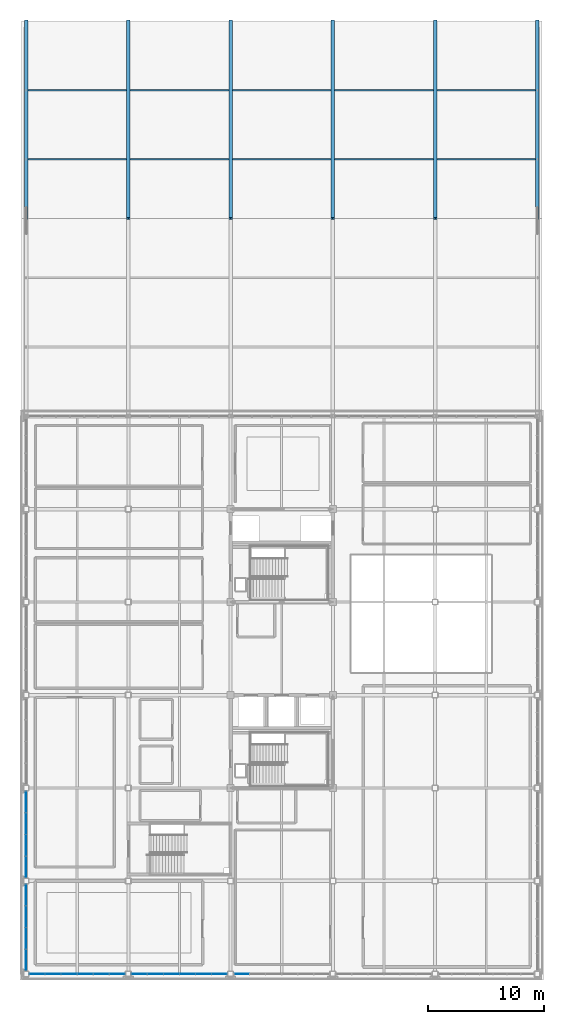
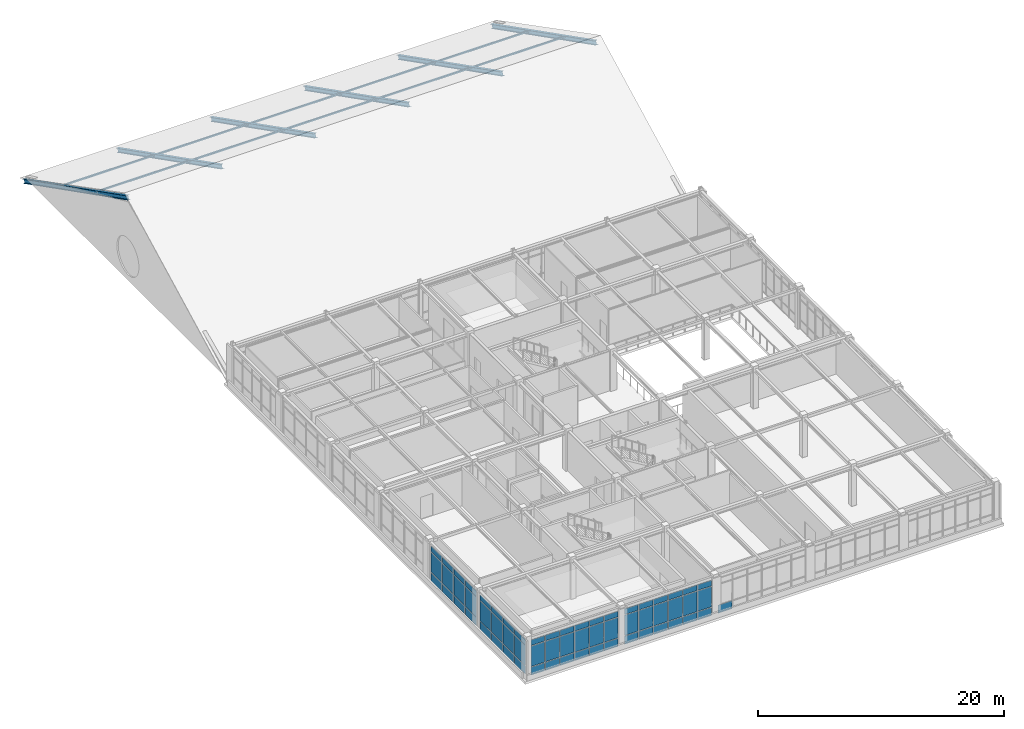
# One storey, part 21 of 45: 61 plates, 8 members, 5 elements without a shape of their own.
"""IFC4 building model written with IfcOpenShell, lengths in metres."""

import ifcopenshell
import ifcopenshell.guid

model = None  # the IFC model being written
_history = None  # IfcOwnerHistory: only IFC2X3 demands one
_inside = {}  # id of a spatial element -> (the spatial element, [elements in it])
_under = {}  # id of a project, library or spatial element -> (it, [spatial elements below it])
_declared = {}  # id of a project -> (the project, [libraries it declares])
_typed = {}  # id of a type object -> (the type object, [elements of that type])
_made_of = {}  # id of a material, layer set ... -> (it, [elements and type objects made of it])


def new_model(schema):
    """Start an empty IFC model of exactly this schema.

    Asked for "IFC4X3", IfcOpenShell would pick the latest addendum, in which some entities
    have other attributes; the version numbers below select the first issue.
    IFC2X3 requires an IfcOwnerHistory on every rooted entity: one is made here for all.
    """
    global model, _history
    if schema == "IFC4X3":
        model = ifcopenshell.file(schema_version=(4, 3, 0, 0))
    else:
        model = ifcopenshell.file(schema=schema)
    _inside.clear()
    _under.clear()
    _declared.clear()
    _typed.clear()
    _made_of.clear()
    _history = None
    if model.schema == "IFC2X3":
        org = make("IfcOrganization", Name="unknown")
        user = make(
            "IfcPersonAndOrganization",
            ThePerson=make("IfcPerson", FamilyName="unknown"),
            TheOrganization=org,
        )
        app = make(
            "IfcApplication",
            ApplicationDeveloper=org,
            Version="unknown",
            ApplicationFullName="unknown",
            ApplicationIdentifier="unknown",
        )
        _history = make(
            "IfcOwnerHistory",
            OwningUser=user,
            OwningApplication=app,
            ChangeAction="ADDED",
            CreationDate=0,
        )
    return model


def make(cls, **values):
    """One entity of the class cls with the attributes given. An attribute that is None is left unset."""
    return model.create_entity(
        cls, **{name: value for name, value in values.items() if value is not None}
    )


def rooted(cls, **values):
    """An entity with a GlobalId (a new one), such as an element, a storey or a relation."""
    return make(cls, GlobalId=ifcopenshell.guid.new(), OwnerHistory=_history, **values)


def si_unit(unit_type, name, prefix=None):
    """IfcSIUnit, for example si_unit("LENGTHUNIT", "METRE", prefix="MILLI")."""
    return make("IfcSIUnit", UnitType=unit_type, Prefix=prefix, Name=name)


def assignment(units):
    """IfcUnitAssignment: the units of a project."""
    return None if units is None else make("IfcUnitAssignment", Units=units)


def point(xyz):
    """IfcCartesianPoint."""
    return None if xyz is None else make("IfcCartesianPoint", Coordinates=xyz)


def direction(xyz):
    """IfcDirection."""
    return None if xyz is None else make("IfcDirection", DirectionRatios=xyz)


def frame(location, z_axis=None, x_axis=None):
    """IfcAxis2Placement3D, a coordinate frame: its origin and axes. An axis left out is left unset."""
    return make(
        "IfcAxis2Placement3D",
        Location=point(location),
        Axis=direction(z_axis),
        RefDirection=direction(x_axis),
    )


def frame_2d(location, x_axis=None):
    """IfcAxis2Placement2D, a coordinate frame in the plane: its origin and x axis."""
    return make(
        "IfcAxis2Placement2D", Location=point(location), RefDirection=direction(x_axis)
    )


def origin():
    """The frame at (0, 0, 0) with its axes left unset."""
    return frame((0.0, 0.0, 0.0))


def origin_2d():
    """The frame at (0, 0) in the plane with its x axis left unset."""
    return frame_2d((0.0, 0.0))


def place(relative_to, where):
    """IfcLocalPlacement: puts the frame where relative to a parent placement (None: the world)."""
    return make(
        "IfcLocalPlacement", PlacementRelTo=relative_to, RelativePlacement=where
    )


def context(
    kind, dimensions, precision=None, world=None, true_north=None, identifier=None
):
    """IfcGeometricRepresentationContext, for example the 3D "Model" context."""
    return make(
        "IfcGeometricRepresentationContext",
        ContextIdentifier=identifier,
        ContextType=kind,
        CoordinateSpaceDimension=dimensions,
        Precision=precision,
        WorldCoordinateSystem=world,
        TrueNorth=true_north,
    )


def subcontext(parent, identifier, kind, view, scale=None):
    """IfcGeometricRepresentationSubContext, for example "Body" below "Model"."""
    return make(
        "IfcGeometricRepresentationSubContext",
        ContextIdentifier=identifier,
        ContextType=kind,
        ParentContext=parent,
        TargetScale=scale,
        TargetView=view,
    )


def project(units=None, contexts=None):
    """IfcProject with its units and contexts."""
    return rooted(
        "IfcProject",
        Name="project",
        RepresentationContexts=contexts,
        UnitsInContext=assignment(units),
    )


def spatial(cls, under=None, at=None, **own):
    """A site, building, storey or space (cls), placed at a placement, below another one or the project."""
    s = rooted(cls, ObjectPlacement=at, **own)
    if under is not None:
        _under.setdefault(under.id(), (under, []))[1].append(s)
    return s


def profile(cls, at=None, kind="AREA", **sizes):
    """A parametric profile (cls). Its sizes go by their IFC names, for example OverallWidth=200.0."""
    return make(cls, ProfileType=kind, Position=at, **sizes)


def rectangle(**sizes):
    """IfcRectangleProfileDef."""
    return profile("IfcRectangleProfileDef", **sizes)


def hollow_rectangle(**sizes):
    """IfcRectangleHollowProfileDef."""
    return profile("IfcRectangleHollowProfileDef", **sizes)


def i_section(**sizes):
    """IfcIShapeProfileDef."""
    return profile("IfcIShapeProfileDef", **sizes)


def extrude(swept, where, along, depth):
    """IfcExtrudedAreaSolid: the profile swept, set in the frame where, extruded along a direction by depth."""
    return make(
        "IfcExtrudedAreaSolid",
        SweptArea=swept,
        Position=where,
        ExtrudedDirection=direction(along),
        Depth=depth,
    )


def shape(context_of_items, identifier, shape_type, items):
    """IfcShapeRepresentation: the items that make up one representation, for example the "Body"."""
    return make(
        "IfcShapeRepresentation",
        ContextOfItems=context_of_items,
        RepresentationIdentifier=identifier,
        RepresentationType=shape_type,
        Items=items,
    )


def material(Name=None, Category=None):
    """IfcMaterial."""
    return make("IfcMaterial", Name=Name, Category=Category)


def layer(
    of_material, thickness, ventilated=None, Name=None, Category=None, Priority=None
):
    """IfcMaterialLayer: one layer of a wall or slab, of a material (None: an air gap)."""
    return make(
        "IfcMaterialLayer",
        Material=of_material,
        LayerThickness=thickness,
        IsVentilated=ventilated,
        Name=Name,
        Category=Category,
        Priority=Priority,
    )


def layer_set(layers, Name=None):
    """IfcMaterialLayerSet."""
    return make("IfcMaterialLayerSet", MaterialLayers=layers, LayerSetName=Name)


def material_profile(
    of_material, cross_section, Name=None, Category=None, Priority=None
):
    """IfcMaterialProfile: a cross section and its material."""
    return make(
        "IfcMaterialProfile",
        Name=Name,
        Material=of_material,
        Profile=cross_section,
        Priority=Priority,
        Category=Category,
    )


def profile_set(profiles, Name=None, composite=None):
    """IfcMaterialProfileSet."""
    return make(
        "IfcMaterialProfileSet",
        Name=Name,
        MaterialProfiles=profiles,
        CompositeProfile=composite,
    )


def made_of(thing, what):
    """Note that an element or type object is made of a material, layer set ...; save() writes the relation."""
    if what is not None:
        _made_of.setdefault(what.id(), (what, []))[1].append(thing)
    return thing


def type_object(cls, material=None, **own):
    """A type object (cls), such as IfcWallType, which elements share."""
    return made_of(rooted(cls, **own), material)


def element(
    cls,
    number,
    at=None,
    inside=None,
    cuts=None,
    type_object=None,
    material=None,
    context=None,
    identifier="Body",
    shape_type=None,
    held_by="IfcProductDefinitionShape",
    body=None,
    shapes=None,
    **own,
):
    """One element of the class cls, such as IfcWall. Its Tag is "e" and its number.

    at: its placement. inside: the storey or other place that contains it. cuts: it is an
    opening in that element (IfcRelVoidsElement). A single representation is given by context,
    identifier, shape_type and body (its items); several are given by shapes. held_by: the class
    of the entity that holds the representations. save() writes the other relations.
    """
    e = rooted(cls, Tag="e%d" % number, ObjectPlacement=at, **own)
    if body is not None:
        shapes = [shape(context, identifier, shape_type, body)]
    if shapes is not None:
        e.Representation = make(held_by, Representations=shapes)
    if inside is not None:
        _inside.setdefault(inside.id(), (inside, []))[1].append(e)
    if cuts is not None:
        rooted(
            "IfcRelVoidsElement", RelatingBuildingElement=cuts, RelatedOpeningElement=e
        )
    if type_object is not None:
        _typed.setdefault(type_object.id(), (type_object, []))[1].append(e)
    return made_of(e, material)


def aggregate(whole, parts):
    """IfcRelAggregates: a whole, such as a stair, and the parts it consists of."""
    return rooted("IfcRelAggregates", RelatingObject=whole, RelatedObjects=parts)


def save(model, path):
    """Write the relations noted so far, then the file.

    IfcRelAggregates (storeys below a building ...), IfcRelContainedInSpatialStructure (elements
    in a storey), IfcRelDefinesByType, IfcRelAssociatesMaterial and IfcRelDeclares: one each for
    every whole, place, type object, material and project.
    """
    for whole, parts in _under.values():
        aggregate(whole, parts)
    for where, things in _inside.values():
        rooted(
            "IfcRelContainedInSpatialStructure",
            RelatedElements=things,
            RelatingStructure=where,
        )
    for kind, things in _typed.values():
        rooted("IfcRelDefinesByType", RelatedObjects=things, RelatingType=kind)
    for what, things in _made_of.values():
        rooted("IfcRelAssociatesMaterial", RelatedObjects=things, RelatingMaterial=what)
    for by, libraries in _declared.values():
        rooted("IfcRelDeclares", RelatingContext=by, RelatedDefinitions=libraries)
    model.write(path)


model = new_model("IFC4")

# Units and contexts
model_context = context("Model", 3, precision=1e-05, world=origin(), true_north=direction((0.0, 1.0)))
body_context = subcontext(model_context, "Body", "Model", "MODEL_VIEW")
ifc_project = project(units=[si_unit("LENGTHUNIT", "METRE"), si_unit("AREAUNIT", "SQUARE_METRE"), si_unit("VOLUMEUNIT", "CUBIC_METRE"), si_unit("PLANEANGLEUNIT", "RADIAN"), si_unit("MASSUNIT", "GRAM", prefix="KILO")], contexts=[model_context])

# Site, building, storey
site_placement = place(None, origin())
site = spatial("IfcSite", under=ifc_project, at=site_placement, CompositionType="ELEMENT")
building_placement = place(site_placement, origin())
building = spatial("IfcBuilding", under=site, at=building_placement, Name="Zhaolan Boulevard Law Courts", CompositionType="ELEMENT")
storey_placement = place(building_placement, frame((0.0, 0.0, 24.60009765625)))
storey = spatial("IfcBuildingStorey", under=building, at=storey_placement, Name="L05", CompositionType="ELEMENT", Elevation=24.60009765625)

# Members
ifc_material_1 = material(Name="Structural steel Q355B", Category="steel")
ifc_material_profile_1 = material_profile(ifc_material_1, hollow_rectangle(XDim=0.14990234375, YDim=0.14990234375, WallThickness=0.008056640625, InnerFilletRadius=0.008056640625, OuterFilletRadius=0.01611328125, at=origin_2d()), Name="HSS150x150x8")
ifc_profile_set_1 = profile_set([ifc_material_profile_1], Name="Structural steel Q355B")
member_type_1 = type_object("IfcMemberType", Name="PURLIN HSS150 S", PredefinedType="PURLIN", material=ifc_profile_set_1)
for number, where, z_axis, x_axis, name in (
    (1, (0.0, 106.050048828125, 2.700927734375), (1.0, 0.0, 0.0), (0.0, 1.0, 0.0), "Library Roof Purlin LPR-N1"),
    (2, (0.0, 100.10009765625, 5.781005859375), (1.0, 0.0, 0.0), (0.0, 1.0, 0.0), "Library Roof Purlin LPR-N2"),
):
    element("IfcMember", number, at=place(storey_placement, frame(where, z_axis=z_axis, x_axis=x_axis)), inside=storey, type_object=member_type_1, Name=name, PredefinedType="PURLIN", context=body_context, shape_type="SweptSolid", body=[
        extrude(hollow_rectangle(XDim=0.14990234375, YDim=0.14990234375, WallThickness=0.008056640625, InnerFilletRadius=0.008056640625, OuterFilletRadius=0.01611328125, at=origin_2d()), origin(), (0.0, 0.0, 1.0), 44.0),
    ])
ifc_material_2 = material(Name="Structural steel Q355B", Category="steel")
ifc_material_profile_2 = material_profile(ifc_material_2, i_section(OverallWidth=0.300048828125, OverallDepth=0.389892578125, WebThickness=0.010009765625, FlangeThickness=0.01611328125, FilletRadius=0.01806640625, at=origin_2d()), Name="HM390x300")
ifc_profile_set_2 = profile_set([ifc_material_profile_2], Name="Structural steel Q355B")
member_type_2 = type_object("IfcMemberType", Name="RAFTER HM390", PredefinedType="RAFTER", material=ifc_profile_set_2)
for number, where, z_axis, x_axis, name in (
    (3, (0.0, 112.0, -0.379150390625), (0.0, -0.891468400522, 0.453082874174), (1.0, 0.0, 0.0), "Law Library Rafter LRF-N"),
    (4, (8.800048828125, 112.0, -0.379150390625), (0.0, -0.891468400522, 0.453082874174), (1.0, 0.0, 0.0), "Law Library Rafter LRF-N"),
    (5, (17.60009765625, 112.0, -0.379150390625), (0.0, -0.891468400522, 0.453082874174), (1.0, 0.0, 0.0), "Law Library Rafter LRF-N"),
    (6, (26.39990234375, 112.0, -0.379150390625), (0.0, -0.891468400522, 0.453082874174), (1.0, 0.0, 0.0), "Law Library Rafter LRF-N"),
    (7, (35.199951171875, 112.0, -0.379150390625), (0.0, -0.891468400522, 0.453082874174), (1.0, 0.0, 0.0), "Law Library Rafter LRF-N"),
    (8, (44.0, 112.0, -0.379150390625), (0.0, -0.891468400522, 0.453082874174), (1.0, 0.0, 0.0), "Law Library Rafter LRF-N"),
):
    element("IfcMember", number, at=place(storey_placement, frame(where, z_axis=z_axis, x_axis=x_axis)), inside=storey, type_object=member_type_2, Name=name, PredefinedType="RAFTER", context=body_context, shape_type="SweptSolid", body=[
        extrude(i_section(OverallWidth=0.300048828125, OverallDepth=0.389892578125, WebThickness=0.010009765625, FlangeThickness=0.01611328125, FilletRadius=0.01806640625, at=origin_2d()), origin(), (0.0, 0.0, 1.0), 19.069580078125),
    ])

# Curtain wall, plates
ifc_material_3 = material(Name="Thermally broken aluminium and low-E glazing", Category="aluminium")
curtain_wall_type_1 = type_object("IfcCurtainWallType", Name="CURTAIN WALL M10", PredefinedType="USERDEFINED", material=ifc_material_3)
curtain_wall_1_placement = place(storey_placement, origin())
curtain_wall_1 = element("IfcCurtainWall", 9, at=curtain_wall_1_placement, inside=storey, type_object=curtain_wall_type_1, Name="Curtain Wall CW-L05-202", ObjectType="CURTAIN WALL", PredefinedType="USERDEFINED")
ifc_material_4 = material(Name="Triple-silver low-E insulated glazing", Category="glass")
ifc_layer = layer(ifc_material_4, 0.028076171875)
ifc_layer_set = layer_set([ifc_layer])
plate_type = type_object("IfcPlateType", Name="CWPANEL LOW E28", PredefinedType="CURTAIN_PANEL", material=ifc_layer_set)
plate_1_placement = place(storey_placement, frame((0.958251953125, 30.0, 0.059814453125), z_axis=(0.0, 0.0, 1.0), x_axis=(1.0, 0.0, 0.0)))
plate_1 = element("IfcPlate", 10, at=plate_1_placement, type_object=plate_type, Name="CW-L05-202 panel 1.1", PredefinedType="CURTAIN_PANEL", context=body_context, shape_type="SweptSolid", body=[
    extrude(rectangle(XDim=1.292724609375, YDim=0.028076171875, at=origin_2d()), origin(), (0.0, 0.0, 1.0), 0.81005859375),
])
plate_2_placement = place(storey_placement, frame((0.958251953125, 30.0, 0.929931640625), z_axis=(0.0, 0.0, 1.0), x_axis=(1.0, 0.0, 0.0)))
plate_2 = element("IfcPlate", 11, at=plate_2_placement, type_object=plate_type, Name="CW-L05-202 panel 1.2", PredefinedType="CURTAIN_PANEL", context=body_context, shape_type="SweptSolid", body=[
    extrude(rectangle(XDim=1.292724609375, YDim=0.028076171875, at=origin_2d()), origin(), (0.0, 0.0, 1.0), 2.02294921875),
])
plate_3_placement = place(storey_placement, frame((0.958251953125, 30.0, 3.012939453125), z_axis=(0.0, 0.0, 1.0), x_axis=(1.0, 0.0, 0.0)))
plate_3 = element("IfcPlate", 12, at=plate_3_placement, type_object=plate_type, Name="CW-L05-202 panel 1.3", PredefinedType="CURTAIN_PANEL", context=body_context, shape_type="SweptSolid", body=[
    extrude(rectangle(XDim=1.292724609375, YDim=0.028076171875, at=origin_2d()), origin(), (0.0, 0.0, 1.0), 0.56005859375),
])
plate_4_placement = place(storey_placement, frame((2.325927734375, 30.0, 0.059814453125), z_axis=(0.0, 0.0, 1.0), x_axis=(1.0, 0.0, 0.0)))
plate_4 = element("IfcPlate", 13, at=plate_4_placement, type_object=plate_type, Name="CW-L05-202 panel 2.1", PredefinedType="CURTAIN_PANEL", context=body_context, shape_type="SweptSolid", body=[
    extrude(rectangle(XDim=1.32275390625, YDim=0.028076171875, at=origin_2d()), origin(), (0.0, 0.0, 1.0), 0.81005859375),
])
plate_5_placement = place(storey_placement, frame((2.325927734375, 30.0, 0.929931640625), z_axis=(0.0, 0.0, 1.0), x_axis=(1.0, 0.0, 0.0)))
plate_5 = element("IfcPlate", 14, at=plate_5_placement, type_object=plate_type, Name="CW-L05-202 panel 2.2", PredefinedType="CURTAIN_PANEL", context=body_context, shape_type="SweptSolid", body=[
    extrude(rectangle(XDim=1.32275390625, YDim=0.028076171875, at=origin_2d()), origin(), (0.0, 0.0, 1.0), 2.02294921875),
])
plate_6_placement = place(storey_placement, frame((2.325927734375, 30.0, 3.012939453125), z_axis=(0.0, 0.0, 1.0), x_axis=(1.0, 0.0, 0.0)))
plate_6 = element("IfcPlate", 15, at=plate_6_placement, type_object=plate_type, Name="CW-L05-202 panel 2.3", PredefinedType="CURTAIN_PANEL", context=body_context, shape_type="SweptSolid", body=[
    extrude(rectangle(XDim=1.32275390625, YDim=0.028076171875, at=origin_2d()), origin(), (0.0, 0.0, 1.0), 0.56005859375),
])
plate_7_placement = place(storey_placement, frame((3.708740234375, 30.0, 0.059814453125), z_axis=(0.0, 0.0, 1.0), x_axis=(1.0, 0.0, 0.0)))
plate_7 = element("IfcPlate", 16, at=plate_7_placement, type_object=plate_type, Name="CW-L05-202 panel 3.1", PredefinedType="CURTAIN_PANEL", context=body_context, shape_type="SweptSolid", body=[
    extrude(rectangle(XDim=1.32275390625, YDim=0.028076171875, at=origin_2d()), origin(), (0.0, 0.0, 1.0), 0.81005859375),
])
plate_8_placement = place(storey_placement, frame((3.708740234375, 30.0, 0.929931640625), z_axis=(0.0, 0.0, 1.0), x_axis=(1.0, 0.0, 0.0)))
plate_8 = element("IfcPlate", 17, at=plate_8_placement, type_object=plate_type, Name="CW-L05-202 panel 3.2", PredefinedType="CURTAIN_PANEL", context=body_context, shape_type="SweptSolid", body=[
    extrude(rectangle(XDim=1.32275390625, YDim=0.028076171875, at=origin_2d()), origin(), (0.0, 0.0, 1.0), 2.02294921875),
])
plate_9_placement = place(storey_placement, frame((3.708740234375, 30.0, 3.012939453125), z_axis=(0.0, 0.0, 1.0), x_axis=(1.0, 0.0, 0.0)))
plate_9 = element("IfcPlate", 18, at=plate_9_placement, type_object=plate_type, Name="CW-L05-202 panel 3.3", PredefinedType="CURTAIN_PANEL", context=body_context, shape_type="SweptSolid", body=[
    extrude(rectangle(XDim=1.32275390625, YDim=0.028076171875, at=origin_2d()), origin(), (0.0, 0.0, 1.0), 0.56005859375),
])
plate_10_placement = place(storey_placement, frame((5.09130859375, 30.0, 0.059814453125), z_axis=(0.0, 0.0, 1.0), x_axis=(1.0, 0.0, 0.0)))
plate_10 = element("IfcPlate", 19, at=plate_10_placement, type_object=plate_type, Name="CW-L05-202 panel 4.1", PredefinedType="CURTAIN_PANEL", context=body_context, shape_type="SweptSolid", body=[
    extrude(rectangle(XDim=1.32275390625, YDim=0.028076171875, at=origin_2d()), origin(), (0.0, 0.0, 1.0), 0.81005859375),
])
plate_11_placement = place(storey_placement, frame((5.09130859375, 30.0, 0.929931640625), z_axis=(0.0, 0.0, 1.0), x_axis=(1.0, 0.0, 0.0)))
plate_11 = element("IfcPlate", 20, at=plate_11_placement, type_object=plate_type, Name="CW-L05-202 panel 4.2", PredefinedType="CURTAIN_PANEL", context=body_context, shape_type="SweptSolid", body=[
    extrude(rectangle(XDim=1.32275390625, YDim=0.028076171875, at=origin_2d()), origin(), (0.0, 0.0, 1.0), 2.02294921875),
])
plate_12_placement = place(storey_placement, frame((5.09130859375, 30.0, 3.012939453125), z_axis=(0.0, 0.0, 1.0), x_axis=(1.0, 0.0, 0.0)))
plate_12 = element("IfcPlate", 21, at=plate_12_placement, type_object=plate_type, Name="CW-L05-202 panel 4.3", PredefinedType="CURTAIN_PANEL", context=body_context, shape_type="SweptSolid", body=[
    extrude(rectangle(XDim=1.32275390625, YDim=0.028076171875, at=origin_2d()), origin(), (0.0, 0.0, 1.0), 0.56005859375),
])
plate_13_placement = place(storey_placement, frame((6.47412109375, 30.0, 0.059814453125), z_axis=(0.0, 0.0, 1.0), x_axis=(1.0, 0.0, 0.0)))
plate_13 = element("IfcPlate", 22, at=plate_13_placement, type_object=plate_type, Name="CW-L05-202 panel 5.1", PredefinedType="CURTAIN_PANEL", context=body_context, shape_type="SweptSolid", body=[
    extrude(rectangle(XDim=1.32275390625, YDim=0.028076171875, at=origin_2d()), origin(), (0.0, 0.0, 1.0), 0.81005859375),
])
plate_14_placement = place(storey_placement, frame((6.47412109375, 30.0, 0.929931640625), z_axis=(0.0, 0.0, 1.0), x_axis=(1.0, 0.0, 0.0)))
plate_14 = element("IfcPlate", 23, at=plate_14_placement, type_object=plate_type, Name="CW-L05-202 panel 5.2", PredefinedType="CURTAIN_PANEL", context=body_context, shape_type="SweptSolid", body=[
    extrude(rectangle(XDim=1.32275390625, YDim=0.028076171875, at=origin_2d()), origin(), (0.0, 0.0, 1.0), 2.02294921875),
])
plate_15_placement = place(storey_placement, frame((6.47412109375, 30.0, 3.012939453125), z_axis=(0.0, 0.0, 1.0), x_axis=(1.0, 0.0, 0.0)))
plate_15 = element("IfcPlate", 24, at=plate_15_placement, type_object=plate_type, Name="CW-L05-202 panel 5.3", PredefinedType="CURTAIN_PANEL", context=body_context, shape_type="SweptSolid", body=[
    extrude(rectangle(XDim=1.32275390625, YDim=0.028076171875, at=origin_2d()), origin(), (0.0, 0.0, 1.0), 0.56005859375),
])
plate_16_placement = place(storey_placement, frame((7.841552734375, 30.0, 0.059814453125), z_axis=(0.0, 0.0, 1.0), x_axis=(1.0, 0.0, 0.0)))
plate_16 = element("IfcPlate", 25, at=plate_16_placement, type_object=plate_type, Name="CW-L05-202 panel 6.1", PredefinedType="CURTAIN_PANEL", context=body_context, shape_type="SweptSolid", body=[
    extrude(rectangle(XDim=1.292724609375, YDim=0.028076171875, at=origin_2d()), origin(), (0.0, 0.0, 1.0), 0.81005859375),
])
plate_17_placement = place(storey_placement, frame((7.841552734375, 30.0, 0.929931640625), z_axis=(0.0, 0.0, 1.0), x_axis=(1.0, 0.0, 0.0)))
plate_17 = element("IfcPlate", 26, at=plate_17_placement, type_object=plate_type, Name="CW-L05-202 panel 6.2", PredefinedType="CURTAIN_PANEL", context=body_context, shape_type="SweptSolid", body=[
    extrude(rectangle(XDim=1.292724609375, YDim=0.028076171875, at=origin_2d()), origin(), (0.0, 0.0, 1.0), 2.02294921875),
])
plate_18_placement = place(storey_placement, frame((7.841552734375, 30.0, 3.012939453125), z_axis=(0.0, 0.0, 1.0), x_axis=(1.0, 0.0, 0.0)))
plate_18 = element("IfcPlate", 27, at=plate_18_placement, type_object=plate_type, Name="CW-L05-202 panel 6.3", PredefinedType="CURTAIN_PANEL", context=body_context, shape_type="SweptSolid", body=[
    extrude(rectangle(XDim=1.292724609375, YDim=0.028076171875, at=origin_2d()), origin(), (0.0, 0.0, 1.0), 0.56005859375),
])
aggregate(curtain_wall_1, [plate_1, plate_2, plate_3, plate_4, plate_5, plate_6, plate_7, plate_8, plate_9, plate_10, plate_11, plate_12, plate_13, plate_14, plate_15, plate_16, plate_17, plate_18])

ifc_material_5 = material(Name="Thermally broken aluminium and low-E glazing", Category="aluminium")
curtain_wall_type_2 = type_object("IfcCurtainWallType", Name="CURTAIN WALL M11", PredefinedType="USERDEFINED", material=ifc_material_5)
curtain_wall_2_placement = place(storey_placement, origin())
curtain_wall_2 = element("IfcCurtainWall", 28, at=curtain_wall_2_placement, inside=storey, type_object=curtain_wall_type_2, Name="Curtain Wall CW-L05-203", ObjectType="CURTAIN WALL", PredefinedType="USERDEFINED")
plate_19_placement = place(storey_placement, frame((9.75830078125, 30.0, 0.059814453125), z_axis=(0.0, 0.0, 1.0), x_axis=(1.0, 0.0, 0.0)))
plate_19 = element("IfcPlate", 29, at=plate_19_placement, type_object=plate_type, Name="CW-L05-203 panel 1.1", PredefinedType="CURTAIN_PANEL", context=body_context, shape_type="SweptSolid", body=[
    extrude(rectangle(XDim=1.292724609375, YDim=0.028076171875, at=origin_2d()), origin(), (0.0, 0.0, 1.0), 0.81005859375),
])
plate_20_placement = place(storey_placement, frame((9.75830078125, 30.0, 0.929931640625), z_axis=(0.0, 0.0, 1.0), x_axis=(1.0, 0.0, 0.0)))
plate_20 = element("IfcPlate", 30, at=plate_20_placement, type_object=plate_type, Name="CW-L05-203 panel 1.2", PredefinedType="CURTAIN_PANEL", context=body_context, shape_type="SweptSolid", body=[
    extrude(rectangle(XDim=1.292724609375, YDim=0.028076171875, at=origin_2d()), origin(), (0.0, 0.0, 1.0), 2.02294921875),
])
plate_21_placement = place(storey_placement, frame((9.75830078125, 30.0, 3.012939453125), z_axis=(0.0, 0.0, 1.0), x_axis=(1.0, 0.0, 0.0)))
plate_21 = element("IfcPlate", 31, at=plate_21_placement, type_object=plate_type, Name="CW-L05-203 panel 1.3", PredefinedType="CURTAIN_PANEL", context=body_context, shape_type="SweptSolid", body=[
    extrude(rectangle(XDim=1.292724609375, YDim=0.028076171875, at=origin_2d()), origin(), (0.0, 0.0, 1.0), 0.56005859375),
])
plate_22_placement = place(storey_placement, frame((11.1259765625, 30.0, 0.059814453125), z_axis=(0.0, 0.0, 1.0), x_axis=(1.0, 0.0, 0.0)))
plate_22 = element("IfcPlate", 32, at=plate_22_placement, type_object=plate_type, Name="CW-L05-203 panel 2.1", PredefinedType="CURTAIN_PANEL", context=body_context, shape_type="SweptSolid", body=[
    extrude(rectangle(XDim=1.32275390625, YDim=0.028076171875, at=origin_2d()), origin(), (0.0, 0.0, 1.0), 0.81005859375),
])
plate_23_placement = place(storey_placement, frame((11.1259765625, 30.0, 0.929931640625), z_axis=(0.0, 0.0, 1.0), x_axis=(1.0, 0.0, 0.0)))
plate_23 = element("IfcPlate", 33, at=plate_23_placement, type_object=plate_type, Name="CW-L05-203 panel 2.2", PredefinedType="CURTAIN_PANEL", context=body_context, shape_type="SweptSolid", body=[
    extrude(rectangle(XDim=1.32275390625, YDim=0.028076171875, at=origin_2d()), origin(), (0.0, 0.0, 1.0), 2.02294921875),
])
plate_24_placement = place(storey_placement, frame((11.1259765625, 30.0, 3.012939453125), z_axis=(0.0, 0.0, 1.0), x_axis=(1.0, 0.0, 0.0)))
plate_24 = element("IfcPlate", 34, at=plate_24_placement, type_object=plate_type, Name="CW-L05-203 panel 2.3", PredefinedType="CURTAIN_PANEL", context=body_context, shape_type="SweptSolid", body=[
    extrude(rectangle(XDim=1.32275390625, YDim=0.028076171875, at=origin_2d()), origin(), (0.0, 0.0, 1.0), 0.56005859375),
])
plate_25_placement = place(storey_placement, frame((12.508544921875, 30.0, 0.059814453125), z_axis=(0.0, 0.0, 1.0), x_axis=(1.0, 0.0, 0.0)))
plate_25 = element("IfcPlate", 35, at=plate_25_placement, type_object=plate_type, Name="CW-L05-203 panel 3.1", PredefinedType="CURTAIN_PANEL", context=body_context, shape_type="SweptSolid", body=[
    extrude(rectangle(XDim=1.32275390625, YDim=0.028076171875, at=origin_2d()), origin(), (0.0, 0.0, 1.0), 0.81005859375),
])
plate_26_placement = place(storey_placement, frame((12.508544921875, 30.0, 0.929931640625), z_axis=(0.0, 0.0, 1.0), x_axis=(1.0, 0.0, 0.0)))
plate_26 = element("IfcPlate", 36, at=plate_26_placement, type_object=plate_type, Name="CW-L05-203 panel 3.2", PredefinedType="CURTAIN_PANEL", context=body_context, shape_type="SweptSolid", body=[
    extrude(rectangle(XDim=1.32275390625, YDim=0.028076171875, at=origin_2d()), origin(), (0.0, 0.0, 1.0), 2.02294921875),
])
plate_27_placement = place(storey_placement, frame((12.508544921875, 30.0, 3.012939453125), z_axis=(0.0, 0.0, 1.0), x_axis=(1.0, 0.0, 0.0)))
plate_27 = element("IfcPlate", 37, at=plate_27_placement, type_object=plate_type, Name="CW-L05-203 panel 3.3", PredefinedType="CURTAIN_PANEL", context=body_context, shape_type="SweptSolid", body=[
    extrude(rectangle(XDim=1.32275390625, YDim=0.028076171875, at=origin_2d()), origin(), (0.0, 0.0, 1.0), 0.56005859375),
])
plate_28_placement = place(storey_placement, frame((13.891357421875, 30.0, 0.059814453125), z_axis=(0.0, 0.0, 1.0), x_axis=(1.0, 0.0, 0.0)))
plate_28 = element("IfcPlate", 38, at=plate_28_placement, type_object=plate_type, Name="CW-L05-203 panel 4.1", PredefinedType="CURTAIN_PANEL", context=body_context, shape_type="SweptSolid", body=[
    extrude(rectangle(XDim=1.32275390625, YDim=0.028076171875, at=origin_2d()), origin(), (0.0, 0.0, 1.0), 0.81005859375),
])
plate_29_placement = place(storey_placement, frame((13.891357421875, 30.0, 0.929931640625), z_axis=(0.0, 0.0, 1.0), x_axis=(1.0, 0.0, 0.0)))
plate_29 = element("IfcPlate", 39, at=plate_29_placement, type_object=plate_type, Name="CW-L05-203 panel 4.2", PredefinedType="CURTAIN_PANEL", context=body_context, shape_type="SweptSolid", body=[
    extrude(rectangle(XDim=1.32275390625, YDim=0.028076171875, at=origin_2d()), origin(), (0.0, 0.0, 1.0), 2.02294921875),
])
plate_30_placement = place(storey_placement, frame((13.891357421875, 30.0, 3.012939453125), z_axis=(0.0, 0.0, 1.0), x_axis=(1.0, 0.0, 0.0)))
plate_30 = element("IfcPlate", 40, at=plate_30_placement, type_object=plate_type, Name="CW-L05-203 panel 4.3", PredefinedType="CURTAIN_PANEL", context=body_context, shape_type="SweptSolid", body=[
    extrude(rectangle(XDim=1.32275390625, YDim=0.028076171875, at=origin_2d()), origin(), (0.0, 0.0, 1.0), 0.56005859375),
])
plate_31_placement = place(storey_placement, frame((15.27392578125, 30.0, 0.059814453125), z_axis=(0.0, 0.0, 1.0), x_axis=(1.0, 0.0, 0.0)))
plate_31 = element("IfcPlate", 41, at=plate_31_placement, type_object=plate_type, Name="CW-L05-203 panel 5.1", PredefinedType="CURTAIN_PANEL", context=body_context, shape_type="SweptSolid", body=[
    extrude(rectangle(XDim=1.32275390625, YDim=0.028076171875, at=origin_2d()), origin(), (0.0, 0.0, 1.0), 0.81005859375),
])
plate_32_placement = place(storey_placement, frame((15.27392578125, 30.0, 0.929931640625), z_axis=(0.0, 0.0, 1.0), x_axis=(1.0, 0.0, 0.0)))
plate_32 = element("IfcPlate", 42, at=plate_32_placement, type_object=plate_type, Name="CW-L05-203 panel 5.2", PredefinedType="CURTAIN_PANEL", context=body_context, shape_type="SweptSolid", body=[
    extrude(rectangle(XDim=1.32275390625, YDim=0.028076171875, at=origin_2d()), origin(), (0.0, 0.0, 1.0), 2.02294921875),
])
plate_33_placement = place(storey_placement, frame((15.27392578125, 30.0, 3.012939453125), z_axis=(0.0, 0.0, 1.0), x_axis=(1.0, 0.0, 0.0)))
plate_33 = element("IfcPlate", 43, at=plate_33_placement, type_object=plate_type, Name="CW-L05-203 panel 5.3", PredefinedType="CURTAIN_PANEL", context=body_context, shape_type="SweptSolid", body=[
    extrude(rectangle(XDim=1.32275390625, YDim=0.028076171875, at=origin_2d()), origin(), (0.0, 0.0, 1.0), 0.56005859375),
])
plate_34_placement = place(storey_placement, frame((16.6416015625, 30.0, 0.059814453125), z_axis=(0.0, 0.0, 1.0), x_axis=(1.0, 0.0, 0.0)))
plate_34 = element("IfcPlate", 44, at=plate_34_placement, type_object=plate_type, Name="CW-L05-203 panel 6.1", PredefinedType="CURTAIN_PANEL", context=body_context, shape_type="SweptSolid", body=[
    extrude(rectangle(XDim=1.292724609375, YDim=0.028076171875, at=origin_2d()), origin(), (0.0, 0.0, 1.0), 0.81005859375),
])
plate_35_placement = place(storey_placement, frame((16.6416015625, 30.0, 0.929931640625), z_axis=(0.0, 0.0, 1.0), x_axis=(1.0, 0.0, 0.0)))
plate_35 = element("IfcPlate", 45, at=plate_35_placement, type_object=plate_type, Name="CW-L05-203 panel 6.2", PredefinedType="CURTAIN_PANEL", context=body_context, shape_type="SweptSolid", body=[
    extrude(rectangle(XDim=1.292724609375, YDim=0.028076171875, at=origin_2d()), origin(), (0.0, 0.0, 1.0), 2.02294921875),
])
plate_36_placement = place(storey_placement, frame((16.6416015625, 30.0, 3.012939453125), z_axis=(0.0, 0.0, 1.0), x_axis=(1.0, 0.0, 0.0)))
plate_36 = element("IfcPlate", 46, at=plate_36_placement, type_object=plate_type, Name="CW-L05-203 panel 6.3", PredefinedType="CURTAIN_PANEL", context=body_context, shape_type="SweptSolid", body=[
    extrude(rectangle(XDim=1.292724609375, YDim=0.028076171875, at=origin_2d()), origin(), (0.0, 0.0, 1.0), 0.56005859375),
])
aggregate(curtain_wall_2, [plate_19, plate_20, plate_21, plate_22, plate_23, plate_24, plate_25, plate_26, plate_27, plate_28, plate_29, plate_30, plate_31, plate_32, plate_33, plate_34, plate_35, plate_36])

# Curtain wall, plate
ifc_material_6 = material(Name="Thermally broken aluminium and low-E glazing", Category="aluminium")
curtain_wall_type_3 = type_object("IfcCurtainWallType", Name="CURTAIN WALL M12", PredefinedType="USERDEFINED", material=ifc_material_6)
curtain_wall_3_placement = place(storey_placement, origin())
curtain_wall_3 = element("IfcCurtainWall", 47, at=curtain_wall_3_placement, inside=storey, type_object=curtain_wall_type_3, Name="Curtain Wall CW-L05-204", ObjectType="CURTAIN WALL", PredefinedType="USERDEFINED")
plate_37_placement = place(storey_placement, frame((18.558349609375, 30.0, 0.059814453125), z_axis=(0.0, 0.0, 1.0), x_axis=(1.0, 0.0, 0.0)))
plate_37 = element("IfcPlate", 48, at=plate_37_placement, type_object=plate_type, Name="CW-L05-204 panel 1.1", PredefinedType="CURTAIN_PANEL", context=body_context, shape_type="SweptSolid", body=[
    extrude(rectangle(XDim=1.292724609375, YDim=0.028076171875, at=origin_2d()), origin(), (0.0, 0.0, 1.0), 0.81005859375),
])
aggregate(curtain_wall_3, [plate_37])

# Curtain wall, plates
ifc_material_7 = material(Name="Thermally broken aluminium and low-E glazing", Category="aluminium")
curtain_wall_type_4 = type_object("IfcCurtainWallType", Name="CURTAIN WALL M20", PredefinedType="USERDEFINED", material=ifc_material_7)
curtain_wall_4_placement = place(storey_placement, origin())
curtain_wall_4 = element("IfcCurtainWall", 49, at=curtain_wall_4_placement, inside=storey, type_object=curtain_wall_type_4, Name="Curtain Wall CW-L05-212", ObjectType="CURTAIN WALL", PredefinedType="USERDEFINED")
plate_38_placement = place(storey_placement, frame((0.0, 36.794677734375, 0.06494140625), z_axis=(0.0, 0.0, 1.0), x_axis=(0.0, -1.0, 0.0)))
plate_38 = element("IfcPlate", 50, at=plate_38_placement, type_object=plate_type, Name="CW-L05-212 panel 1.1", PredefinedType="CURTAIN_PANEL", context=body_context, shape_type="SweptSolid", body=[
    extrude(rectangle(XDim=1.776611328125, YDim=0.028076171875, at=origin_2d()), origin(), (0.0, 0.0, 1.0), 0.802490234375),
])
plate_39_placement = place(storey_placement, frame((0.0, 36.794677734375, 0.932373046875), z_axis=(0.0, 0.0, 1.0), x_axis=(0.0, -1.0, 0.0)))
plate_39 = element("IfcPlate", 51, at=plate_39_placement, type_object=plate_type, Name="CW-L05-212 panel 1.2", PredefinedType="CURTAIN_PANEL", context=body_context, shape_type="SweptSolid", body=[
    extrude(rectangle(XDim=1.776611328125, YDim=0.028076171875, at=origin_2d()), origin(), (0.0, 0.0, 1.0), 1.97802734375),
])
plate_40_placement = place(storey_placement, frame((0.0, 36.794677734375, 2.9755859375), z_axis=(0.0, 0.0, 1.0), x_axis=(0.0, -1.0, 0.0)))
plate_40 = element("IfcPlate", 52, at=plate_40_placement, type_object=plate_type, Name="CW-L05-212 panel 1.3", PredefinedType="CURTAIN_PANEL", context=body_context, shape_type="SweptSolid", body=[
    extrude(rectangle(XDim=1.776611328125, YDim=0.028076171875, at=origin_2d()), origin(), (0.0, 0.0, 1.0), 0.552490234375),
])
plate_41_placement = place(storey_placement, frame((0.0, 34.93701171875, 0.06494140625), z_axis=(0.0, 0.0, 1.0), x_axis=(0.0, -1.0, 0.0)))
plate_41 = element("IfcPlate", 53, at=plate_41_placement, type_object=plate_type, Name="CW-L05-212 panel 2.1", PredefinedType="CURTAIN_PANEL", context=body_context, shape_type="SweptSolid", body=[
    extrude(rectangle(XDim=1.80908203125, YDim=0.028076171875, at=origin_2d()), origin(), (0.0, 0.0, 1.0), 0.802490234375),
])
plate_42_placement = place(storey_placement, frame((0.0, 34.93701171875, 0.932373046875), z_axis=(0.0, 0.0, 1.0), x_axis=(0.0, -1.0, 0.0)))
plate_42 = element("IfcPlate", 54, at=plate_42_placement, type_object=plate_type, Name="CW-L05-212 panel 2.2", PredefinedType="CURTAIN_PANEL", context=body_context, shape_type="SweptSolid", body=[
    extrude(rectangle(XDim=1.80908203125, YDim=0.028076171875, at=origin_2d()), origin(), (0.0, 0.0, 1.0), 1.97802734375),
])
plate_43_placement = place(storey_placement, frame((0.0, 34.93701171875, 2.9755859375), z_axis=(0.0, 0.0, 1.0), x_axis=(0.0, -1.0, 0.0)))
plate_43 = element("IfcPlate", 55, at=plate_43_placement, type_object=plate_type, Name="CW-L05-212 panel 2.3", PredefinedType="CURTAIN_PANEL", context=body_context, shape_type="SweptSolid", body=[
    extrude(rectangle(XDim=1.80908203125, YDim=0.028076171875, at=origin_2d()), origin(), (0.0, 0.0, 1.0), 0.552490234375),
])
plate_44_placement = place(storey_placement, frame((0.0, 33.06298828125, 0.06494140625), z_axis=(0.0, 0.0, 1.0), x_axis=(0.0, -1.0, 0.0)))
plate_44 = element("IfcPlate", 56, at=plate_44_placement, type_object=plate_type, Name="CW-L05-212 panel 3.1", PredefinedType="CURTAIN_PANEL", context=body_context, shape_type="SweptSolid", body=[
    extrude(rectangle(XDim=1.80908203125, YDim=0.028076171875, at=origin_2d()), origin(), (0.0, 0.0, 1.0), 0.802490234375),
])
plate_45_placement = place(storey_placement, frame((0.0, 33.06298828125, 0.932373046875), z_axis=(0.0, 0.0, 1.0), x_axis=(0.0, -1.0, 0.0)))
plate_45 = element("IfcPlate", 57, at=plate_45_placement, type_object=plate_type, Name="CW-L05-212 panel 3.2", PredefinedType="CURTAIN_PANEL", context=body_context, shape_type="SweptSolid", body=[
    extrude(rectangle(XDim=1.80908203125, YDim=0.028076171875, at=origin_2d()), origin(), (0.0, 0.0, 1.0), 1.97802734375),
])
plate_46_placement = place(storey_placement, frame((0.0, 33.06298828125, 2.9755859375), z_axis=(0.0, 0.0, 1.0), x_axis=(0.0, -1.0, 0.0)))
plate_46 = element("IfcPlate", 58, at=plate_46_placement, type_object=plate_type, Name="CW-L05-212 panel 3.3", PredefinedType="CURTAIN_PANEL", context=body_context, shape_type="SweptSolid", body=[
    extrude(rectangle(XDim=1.80908203125, YDim=0.028076171875, at=origin_2d()), origin(), (0.0, 0.0, 1.0), 0.552490234375),
])
plate_47_placement = place(storey_placement, frame((0.0, 31.205322265625, 0.06494140625), z_axis=(0.0, 0.0, 1.0), x_axis=(0.0, -1.0, 0.0)))
plate_47 = element("IfcPlate", 59, at=plate_47_placement, type_object=plate_type, Name="CW-L05-212 panel 4.1", PredefinedType="CURTAIN_PANEL", context=body_context, shape_type="SweptSolid", body=[
    extrude(rectangle(XDim=1.776611328125, YDim=0.028076171875, at=origin_2d()), origin(), (0.0, 0.0, 1.0), 0.802490234375),
])
plate_48_placement = place(storey_placement, frame((0.0, 31.205322265625, 0.932373046875), z_axis=(0.0, 0.0, 1.0), x_axis=(0.0, -1.0, 0.0)))
plate_48 = element("IfcPlate", 60, at=plate_48_placement, type_object=plate_type, Name="CW-L05-212 panel 4.2", PredefinedType="CURTAIN_PANEL", context=body_context, shape_type="SweptSolid", body=[
    extrude(rectangle(XDim=1.776611328125, YDim=0.028076171875, at=origin_2d()), origin(), (0.0, 0.0, 1.0), 1.97802734375),
])
plate_49_placement = place(storey_placement, frame((0.0, 31.205322265625, 2.9755859375), z_axis=(0.0, 0.0, 1.0), x_axis=(0.0, -1.0, 0.0)))
plate_49 = element("IfcPlate", 61, at=plate_49_placement, type_object=plate_type, Name="CW-L05-212 panel 4.3", PredefinedType="CURTAIN_PANEL", context=body_context, shape_type="SweptSolid", body=[
    extrude(rectangle(XDim=1.776611328125, YDim=0.028076171875, at=origin_2d()), origin(), (0.0, 0.0, 1.0), 0.552490234375),
])
aggregate(curtain_wall_4, [plate_38, plate_39, plate_40, plate_41, plate_42, plate_43, plate_44, plate_45, plate_46, plate_47, plate_48, plate_49])

ifc_material_8 = material(Name="Thermally broken aluminium and low-E glazing", Category="aluminium")
curtain_wall_type_5 = type_object("IfcCurtainWallType", Name="CURTAIN WALL M21", PredefinedType="USERDEFINED", material=ifc_material_8)
curtain_wall_5_placement = place(storey_placement, origin())
curtain_wall_5 = element("IfcCurtainWall", 62, at=curtain_wall_5_placement, inside=storey, type_object=curtain_wall_type_5, Name="Curtain Wall CW-L05-213", ObjectType="CURTAIN WALL", PredefinedType="USERDEFINED")
plate_50_placement = place(storey_placement, frame((0.0, 44.794677734375, 0.06494140625), z_axis=(0.0, 0.0, 1.0), x_axis=(0.0, -1.0, 0.0)))
plate_50 = element("IfcPlate", 63, at=plate_50_placement, type_object=plate_type, Name="CW-L05-213 panel 1.1", PredefinedType="CURTAIN_PANEL", context=body_context, shape_type="SweptSolid", body=[
    extrude(rectangle(XDim=1.776611328125, YDim=0.028076171875, at=origin_2d()), origin(), (0.0, 0.0, 1.0), 0.802490234375),
])
plate_51_placement = place(storey_placement, frame((0.0, 44.794677734375, 0.932373046875), z_axis=(0.0, 0.0, 1.0), x_axis=(0.0, -1.0, 0.0)))
plate_51 = element("IfcPlate", 64, at=plate_51_placement, type_object=plate_type, Name="CW-L05-213 panel 1.2", PredefinedType="CURTAIN_PANEL", context=body_context, shape_type="SweptSolid", body=[
    extrude(rectangle(XDim=1.776611328125, YDim=0.028076171875, at=origin_2d()), origin(), (0.0, 0.0, 1.0), 1.97802734375),
])
plate_52_placement = place(storey_placement, frame((0.0, 44.794677734375, 2.9755859375), z_axis=(0.0, 0.0, 1.0), x_axis=(0.0, -1.0, 0.0)))
plate_52 = element("IfcPlate", 65, at=plate_52_placement, type_object=plate_type, Name="CW-L05-213 panel 1.3", PredefinedType="CURTAIN_PANEL", context=body_context, shape_type="SweptSolid", body=[
    extrude(rectangle(XDim=1.776611328125, YDim=0.028076171875, at=origin_2d()), origin(), (0.0, 0.0, 1.0), 0.552490234375),
])
plate_53_placement = place(storey_placement, frame((0.0, 42.93701171875, 0.06494140625), z_axis=(0.0, 0.0, 1.0), x_axis=(0.0, -1.0, 0.0)))
plate_53 = element("IfcPlate", 66, at=plate_53_placement, type_object=plate_type, Name="CW-L05-213 panel 2.1", PredefinedType="CURTAIN_PANEL", context=body_context, shape_type="SweptSolid", body=[
    extrude(rectangle(XDim=1.80908203125, YDim=0.028076171875, at=origin_2d()), origin(), (0.0, 0.0, 1.0), 0.802490234375),
])
plate_54_placement = place(storey_placement, frame((0.0, 42.93701171875, 0.932373046875), z_axis=(0.0, 0.0, 1.0), x_axis=(0.0, -1.0, 0.0)))
plate_54 = element("IfcPlate", 67, at=plate_54_placement, type_object=plate_type, Name="CW-L05-213 panel 2.2", PredefinedType="CURTAIN_PANEL", context=body_context, shape_type="SweptSolid", body=[
    extrude(rectangle(XDim=1.80908203125, YDim=0.028076171875, at=origin_2d()), origin(), (0.0, 0.0, 1.0), 1.97802734375),
])
plate_55_placement = place(storey_placement, frame((0.0, 42.93701171875, 2.9755859375), z_axis=(0.0, 0.0, 1.0), x_axis=(0.0, -1.0, 0.0)))
plate_55 = element("IfcPlate", 68, at=plate_55_placement, type_object=plate_type, Name="CW-L05-213 panel 2.3", PredefinedType="CURTAIN_PANEL", context=body_context, shape_type="SweptSolid", body=[
    extrude(rectangle(XDim=1.80908203125, YDim=0.028076171875, at=origin_2d()), origin(), (0.0, 0.0, 1.0), 0.552490234375),
])
plate_56_placement = place(storey_placement, frame((0.0, 41.06298828125, 0.06494140625), z_axis=(0.0, 0.0, 1.0), x_axis=(0.0, -1.0, 0.0)))
plate_56 = element("IfcPlate", 69, at=plate_56_placement, type_object=plate_type, Name="CW-L05-213 panel 3.1", PredefinedType="CURTAIN_PANEL", context=body_context, shape_type="SweptSolid", body=[
    extrude(rectangle(XDim=1.80908203125, YDim=0.028076171875, at=origin_2d()), origin(), (0.0, 0.0, 1.0), 0.802490234375),
])
plate_57_placement = place(storey_placement, frame((0.0, 41.06298828125, 0.932373046875), z_axis=(0.0, 0.0, 1.0), x_axis=(0.0, -1.0, 0.0)))
plate_57 = element("IfcPlate", 70, at=plate_57_placement, type_object=plate_type, Name="CW-L05-213 panel 3.2", PredefinedType="CURTAIN_PANEL", context=body_context, shape_type="SweptSolid", body=[
    extrude(rectangle(XDim=1.80908203125, YDim=0.028076171875, at=origin_2d()), origin(), (0.0, 0.0, 1.0), 1.97802734375),
])
plate_58_placement = place(storey_placement, frame((0.0, 41.06298828125, 2.9755859375), z_axis=(0.0, 0.0, 1.0), x_axis=(0.0, -1.0, 0.0)))
plate_58 = element("IfcPlate", 71, at=plate_58_placement, type_object=plate_type, Name="CW-L05-213 panel 3.3", PredefinedType="CURTAIN_PANEL", context=body_context, shape_type="SweptSolid", body=[
    extrude(rectangle(XDim=1.80908203125, YDim=0.028076171875, at=origin_2d()), origin(), (0.0, 0.0, 1.0), 0.552490234375),
])
plate_59_placement = place(storey_placement, frame((0.0, 39.205322265625, 0.06494140625), z_axis=(0.0, 0.0, 1.0), x_axis=(0.0, -1.0, 0.0)))
plate_59 = element("IfcPlate", 72, at=plate_59_placement, type_object=plate_type, Name="CW-L05-213 panel 4.1", PredefinedType="CURTAIN_PANEL", context=body_context, shape_type="SweptSolid", body=[
    extrude(rectangle(XDim=1.776611328125, YDim=0.028076171875, at=origin_2d()), origin(), (0.0, 0.0, 1.0), 0.802490234375),
])
plate_60_placement = place(storey_placement, frame((0.0, 39.205322265625, 0.932373046875), z_axis=(0.0, 0.0, 1.0), x_axis=(0.0, -1.0, 0.0)))
plate_60 = element("IfcPlate", 73, at=plate_60_placement, type_object=plate_type, Name="CW-L05-213 panel 4.2", PredefinedType="CURTAIN_PANEL", context=body_context, shape_type="SweptSolid", body=[
    extrude(rectangle(XDim=1.776611328125, YDim=0.028076171875, at=origin_2d()), origin(), (0.0, 0.0, 1.0), 1.97802734375),
])
plate_61_placement = place(storey_placement, frame((0.0, 39.205322265625, 2.9755859375), z_axis=(0.0, 0.0, 1.0), x_axis=(0.0, -1.0, 0.0)))
plate_61 = element("IfcPlate", 74, at=plate_61_placement, type_object=plate_type, Name="CW-L05-213 panel 4.3", PredefinedType="CURTAIN_PANEL", context=body_context, shape_type="SweptSolid", body=[
    extrude(rectangle(XDim=1.776611328125, YDim=0.028076171875, at=origin_2d()), origin(), (0.0, 0.0, 1.0), 0.552490234375),
])
aggregate(curtain_wall_5, [plate_50, plate_51, plate_52, plate_53, plate_54, plate_55, plate_56, plate_57, plate_58, plate_59, plate_60, plate_61])

save(model, "model.ifc")
